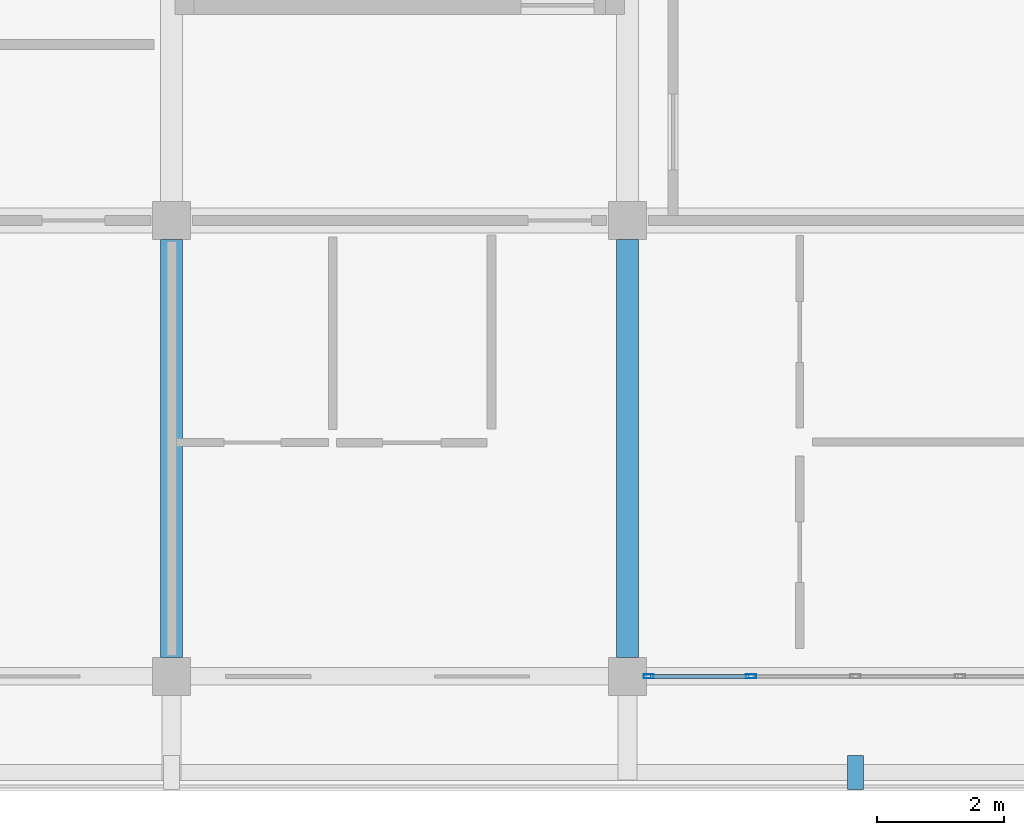
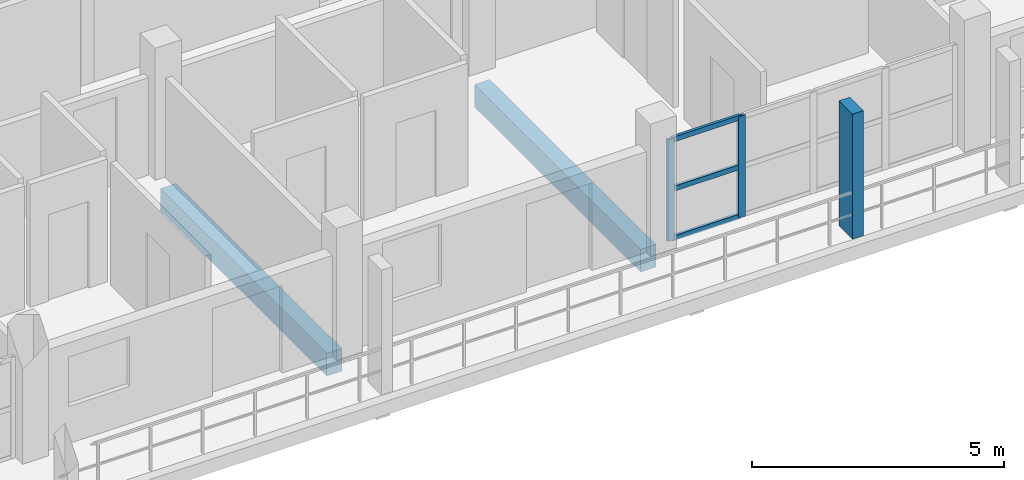
# One storey, part 25 of 76: 6 members, 2 beams, 1 element without a shape of its own.
"""IFC4 building model written with IfcOpenShell, lengths in metres."""

from ifc_helpers import new_model, si_unit, direction, frame, origin, origin_2d, place, context, subcontext, project, spatial, rectangle, hollow_rectangle, extrude, material, material_profile, profile_set, type_object, element, aggregate, save


model = new_model("IFC4")

# Units and contexts
model_context = context("Model", 3, precision=1e-05, world=origin(), true_north=direction((0.0, 1.0)))
body_context = subcontext(model_context, "Body", "Model", "MODEL_VIEW")
ifc_project = project(units=[si_unit("LENGTHUNIT", "METRE"), si_unit("AREAUNIT", "SQUARE_METRE"), si_unit("VOLUMEUNIT", "CUBIC_METRE"), si_unit("PLANEANGLEUNIT", "RADIAN"), si_unit("MASSUNIT", "GRAM", prefix="KILO")], contexts=[model_context])

# Site, building, storey
site_placement = place(None, origin())
site = spatial("IfcSite", under=ifc_project, at=site_placement, CompositionType="ELEMENT")
building_placement = place(site_placement, origin())
building = spatial("IfcBuilding", under=site, at=building_placement, Name="Suanplinth Sawtooth Commons", CompositionType="ELEMENT")
storey_placement = place(building_placement, frame((0.0, 0.0, 12.199951171875)))
storey = spatial("IfcBuildingStorey", under=building, at=storey_placement, Name="L03", CompositionType="ELEMENT", Elevation=12.199951171875)

# Beams
ifc_material_1 = material(Name="Precast concrete C40/50", Category="concrete")
ifc_material_profile_1 = material_profile(ifc_material_1, rectangle(XDim=0.35009765625, YDim=0.550048828125, at=origin_2d()), Name="PC-BM 350x550")
ifc_profile_set_1 = profile_set([ifc_material_profile_1], Name="Precast concrete C40/50")
beam_type = type_object("IfcBeamType", Name="B-06", PredefinedType="BEAM", material=ifc_profile_set_1)
for number, where, z_axis, x_axis, name in (
    (1, (158.39990234375, 0.300048828125, -0.514892578125), (0.0, 1.0, 0.0), (-1.0, 0.0, 0.0), "BMY-L03-C-22-0"),
    (2, (165.60009765625, 0.300048828125, -0.514892578125), (0.0, 1.0, 0.0), (-1.0, 0.0, 0.0), "BMY-L03-C-23-0"),
):
    element("IfcBeam", number, at=place(storey_placement, frame(where, z_axis=z_axis, x_axis=x_axis)), inside=storey, type_object=beam_type, Name=name, PredefinedType="BEAM", context=body_context, shape_type="SweptSolid", body=[
        extrude(rectangle(XDim=0.35009765625, YDim=0.550048828125, at=origin_2d()), origin(), (0.0, 0.0, 1.0), 6.599853515625),
    ])

# Member
ifc_material_2 = material(Name="Pigmented precast concrete C40/50", Category="concrete")
ifc_material_profile_2 = material_profile(ifc_material_2, rectangle(XDim=0.25, YDim=0.5400390625, at=origin_2d()), Name="PC-FIN 250x540")
ifc_profile_set_2 = profile_set([ifc_material_profile_2], Name="Pigmented precast concrete C40/50")
member_type_1 = type_object("IfcMemberType", Name="M-11", PredefinedType="USERDEFINED", material=ifc_profile_set_2)
member_1_placement = place(storey_placement, frame((169.199951171875, -1.52001953125, 0.0), z_axis=(0.0, 0.0, 1.0), x_axis=(1.0, 0.0, 0.0)))
element("IfcMember", 3, at=member_1_placement, inside=storey, type_object=member_type_1, Name="Upright Solar Blade L03-C-S-07", ObjectType="SHADING FIN", PredefinedType="USERDEFINED", context=body_context, shape_type="SweptSolid", body=[
    extrude(rectangle(XDim=0.25, YDim=0.5400390625, at=origin_2d()), origin(), (0.0, 0.0, 1.0), 3.030029296875),
])

# Curtain wall, members
ifc_material_3 = material(Name="Anodized aluminium and low-E glazing", Category="aluminium")
curtain_wall_type = type_object("IfcCurtainWallType", Name="CW-06", PredefinedType="USERDEFINED", material=ifc_material_3)
curtain_wall_placement = place(storey_placement, origin())
curtain_wall = element("IfcCurtainWall", 4, at=curtain_wall_placement, inside=storey, type_object=curtain_wall_type, Name="Curtain Wall CW-L03-C-LOUNGE-23", ObjectType="CURTAIN WALL", PredefinedType="USERDEFINED")
ifc_material_4 = material(Name="Anodized aluminium 6063-T6", Category="aluminium")
ifc_material_profile_3 = material_profile(ifc_material_4, hollow_rectangle(XDim=0.06494140625, YDim=0.159912109375, WallThickness=0.00390625, at=origin_2d()), Name="ALU-MUL 65x160")
ifc_profile_set_3 = profile_set([ifc_material_profile_3], Name="Anodized aluminium 6063-T6")
member_type_2 = type_object("IfcMemberType", Name="M-13", PredefinedType="MULLION", material=ifc_profile_set_3)
member_2_placement = place(storey_placement, frame((165.9326171875, 0.0, 0.0), z_axis=(0.0, 0.0, 1.0), x_axis=(0.0, 1.0, 0.0)))
member_2 = element("IfcMember", 5, at=member_2_placement, type_object=member_type_2, Name="CW-06 mullion 1", PredefinedType="MULLION", context=body_context, shape_type="SweptSolid", body=[
    extrude(hollow_rectangle(XDim=0.06494140625, YDim=0.159912109375, WallThickness=0.00390625, at=origin_2d()), origin(), (0.0, 0.0, 1.0), 2.4599609375),
])
member_3_placement = place(storey_placement, frame((167.550048828125, 0.0, 0.0), z_axis=(0.0, 0.0, 1.0), x_axis=(0.0, 1.0, 0.0)))
member_3 = element("IfcMember", 6, at=member_3_placement, type_object=member_type_2, Name="CW-06 mullion 2", PredefinedType="MULLION", context=body_context, shape_type="SweptSolid", body=[
    extrude(hollow_rectangle(XDim=0.06494140625, YDim=0.159912109375, WallThickness=0.00390625, at=origin_2d()), origin(), (0.0, 0.0, 1.0), 2.4599609375),
])
ifc_material_profile_4 = material_profile(ifc_material_4, hollow_rectangle(XDim=0.06494140625, YDim=0.1201171875, WallThickness=0.00390625, at=origin_2d()), Name="ALU-TRN 65x120")
ifc_profile_set_4 = profile_set([ifc_material_profile_4], Name="Anodized aluminium 6063-T6")
member_type_3 = type_object("IfcMemberType", Name="M-15", PredefinedType="USERDEFINED", material=ifc_profile_set_4)
member_4_placement = place(storey_placement, frame((165.965087890625, 0.0, 0.032470703125), z_axis=(1.0, 0.0, 0.0), x_axis=(0.0, 1.0, 0.0)))
member_4 = element("IfcMember", 7, at=member_4_placement, type_object=member_type_3, Name="CW-06 transom 1.1", ObjectType="TRANSOM", PredefinedType="USERDEFINED", context=body_context, shape_type="SweptSolid", body=[
    extrude(hollow_rectangle(XDim=0.06494140625, YDim=0.1201171875, WallThickness=0.00390625, at=origin_2d()), origin(), (0.0, 0.0, 1.0), 1.552490234375),
])
member_5_placement = place(storey_placement, frame((165.965087890625, 0.0, 1.22998046875), z_axis=(1.0, 0.0, 0.0), x_axis=(0.0, 1.0, 0.0)))
member_5 = element("IfcMember", 8, at=member_5_placement, type_object=member_type_3, Name="CW-06 transom 1.2", ObjectType="TRANSOM", PredefinedType="USERDEFINED", context=body_context, shape_type="SweptSolid", body=[
    extrude(hollow_rectangle(XDim=0.06494140625, YDim=0.1201171875, WallThickness=0.00390625, at=origin_2d()), origin(), (0.0, 0.0, 1.0), 1.552490234375),
])
member_6_placement = place(storey_placement, frame((165.965087890625, 0.0, 2.427490234375), z_axis=(1.0, 0.0, 0.0), x_axis=(0.0, 1.0, 0.0)))
member_6 = element("IfcMember", 9, at=member_6_placement, type_object=member_type_3, Name="CW-06 transom 1.3", ObjectType="TRANSOM", PredefinedType="USERDEFINED", context=body_context, shape_type="SweptSolid", body=[
    extrude(hollow_rectangle(XDim=0.06494140625, YDim=0.1201171875, WallThickness=0.00390625, at=origin_2d()), origin(), (0.0, 0.0, 1.0), 1.552490234375),
])
aggregate(curtain_wall, [member_2, member_3, member_4, member_5, member_6])

save(model, "model.ifc")
